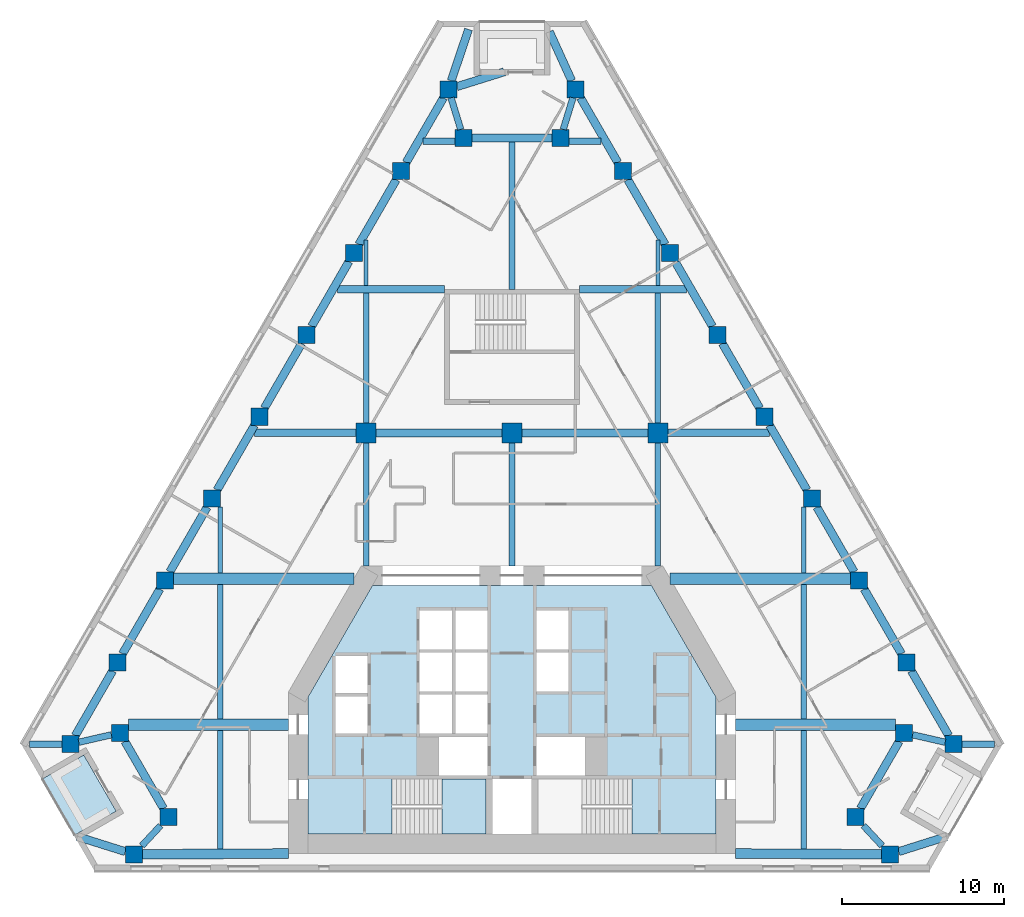
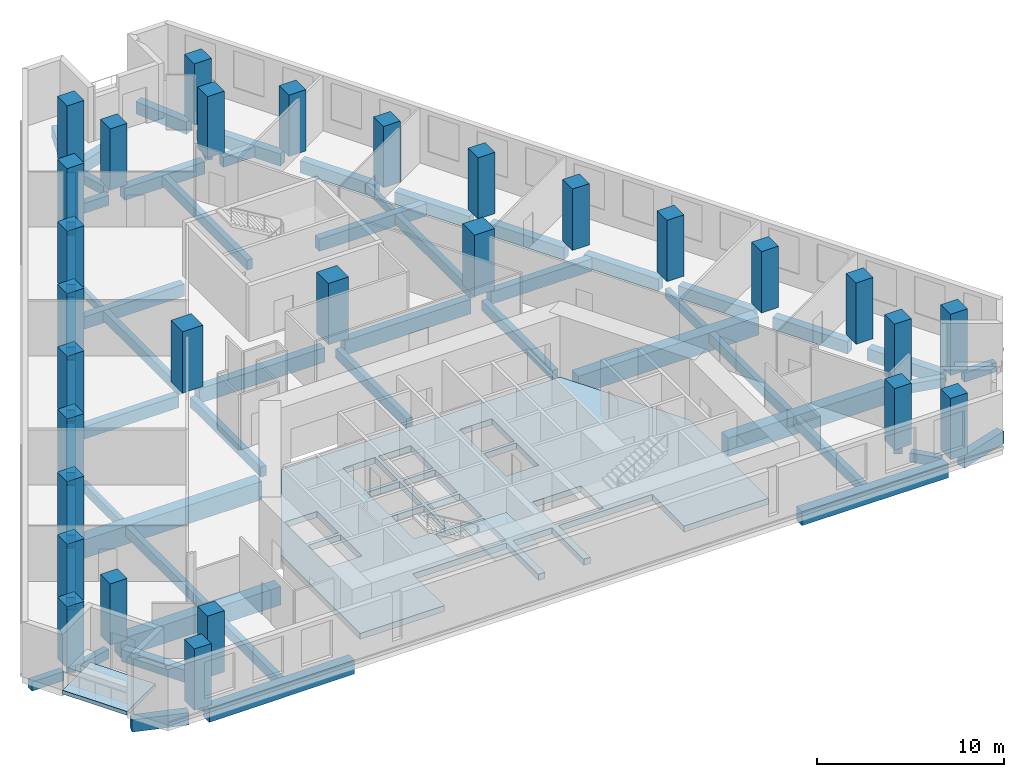
# One storey, part 1 of 10: 60 beams, 29 columns, 3 slabs, 1 element without a shape of its own.
"""IFC4 building model written with IfcOpenShell, lengths in metres."""

from ifc_helpers import new_model, si_unit, direction, frame, origin, origin_2d, place, context, subcontext, project, spatial, polyline, rectangle, outline, extrude, material, layer, layer_set, material_profile, profile_set, type_object, element, aggregate, save


model = new_model("IFC4")

# Units and contexts
model_context = context("Model", 3, precision=1e-05, world=origin(), true_north=direction((0.0, 1.0)))
body_context = subcontext(model_context, "Body", "Model", "MODEL_VIEW")
ifc_project = project(units=[si_unit("LENGTHUNIT", "METRE"), si_unit("AREAUNIT", "SQUARE_METRE"), si_unit("VOLUMEUNIT", "CUBIC_METRE"), si_unit("PLANEANGLEUNIT", "RADIAN"), si_unit("MASSUNIT", "GRAM", prefix="KILO")], contexts=[model_context])

# Site, building, storey
site_placement = place(None, origin())
site = spatial("IfcSite", under=ifc_project, at=site_placement, CompositionType="ELEMENT")
building_placement = place(site_placement, origin())
building = spatial("IfcBuilding", under=site, at=building_placement, Name="Fogline Exchange Tower", CompositionType="ELEMENT")
storey_placement = place(building_placement, frame((0.0, 0.0, 108.10009765625)))
storey = spatial("IfcBuildingStorey", under=building, at=storey_placement, Name="L23", CompositionType="ELEMENT", Elevation=108.10009765625)

# Columns
ifc_material_1 = material(Name="Concrete C70", Category="concrete")
ifc_material_profile_1 = material_profile(ifc_material_1, rectangle(XDim=1.25, YDim=1.25, at=origin_2d()), Name="RC 1250x1250")
ifc_profile_set_1 = profile_set([ifc_material_profile_1], Name="Concrete C70")
column_type_1 = type_object("IfcColumnType", Name="C03", PredefinedType="COLUMN", material=ifc_profile_set_1)
for number, where, z_axis, x_axis, name in (
    (1, (-9.0, 27.0, 0.0), (0.0, 0.0, 1.0), (1.0, 0.0, 0.0), "IC--9-27"),
    (2, (0.0, 27.0, 0.0), (0.0, 0.0, 1.0), (1.0, 0.0, 0.0), "IC-0-27"),
    (3, (9.0, 27.0, 0.0), (0.0, 0.0, 1.0), (1.0, 0.0, 0.0), "IC-9-27"),
):
    element("IfcColumn", number, at=place(storey_placement, frame(where, z_axis=z_axis, x_axis=x_axis)), inside=storey, type_object=column_type_1, Name=name, PredefinedType="COLUMN", context=body_context, shape_type="SweptSolid", body=[
        extrude(rectangle(XDim=1.25, YDim=1.25, at=origin_2d()), origin(), (0.0, 0.0, 1.0), 4.0),
    ])
ifc_material_profile_2 = material_profile(ifc_material_1, rectangle(XDim=1.050048828125, YDim=1.050048828125, at=origin_2d()), Name="RC 1050x1050")
ifc_profile_set_2 = profile_set([ifc_material_profile_2], Name="Concrete C70")
column_type_2 = type_object("IfcColumnType", Name="C04", PredefinedType="COLUMN", material=ifc_profile_set_2)
for number, where, z_axis, x_axis, name in (
    (4, (-27.2490234375, 7.794189453125, 0.0), (0.0, 0.0, 1.0), (1.0, 0.0, 0.0), "SW-a"),
    (5, (-24.189697265625, 8.4951171875, 0.0), (0.0, 0.0, 1.0), (1.0, 0.0, 0.0), "SW-p4"),
    (6, (-21.189697265625, 3.299072265625, 0.0), (0.0, 0.0, 1.0), (1.0, 0.0, 0.0), "SW-p3"),
    (7, (-23.326416015625, 1.0, 0.0), (0.0, 0.0, 1.0), (1.0, 0.0, 0.0), "SW-b"),
    (8, (23.326416015625, 1.0, 0.0), (0.0, 0.0, 1.0), (1.0, 0.0, 0.0), "SE-a"),
    (9, (21.189697265625, 3.299072265625, 0.0), (0.0, 0.0, 1.0), (1.0, 0.0, 0.0), "SE-p4"),
    (10, (24.189697265625, 8.4951171875, 0.0), (0.0, 0.0, 1.0), (1.0, 0.0, 0.0), "SE-p3"),
    (11, (27.2490234375, 7.794189453125, 0.0), (0.0, 0.0, 1.0), (1.0, 0.0, 0.0), "SE-b"),
    (12, (24.333251953125, 12.844482421875, 0.0), (0.0, 0.0, 1.0), (1.0, 0.0, 0.0), "E1"),
    (13, (21.41748046875, 17.894775390625, 0.0), (0.0, 0.0, 1.0), (1.0, 0.0, 0.0), "E2"),
    (14, (18.501708984375, 22.945068359375, 0.0), (0.0, 0.0, 1.0), (1.0, 0.0, 0.0), "E3"),
    (15, (15.585693359375, 27.995361328125, 0.0), (0.0, 0.0, 1.0), (1.0, 0.0, 0.0), "E4"),
    (16, (12.669921875, 33.045654296875, 0.0), (0.0, 0.0, 1.0), (1.0, 0.0, 0.0), "E5"),
    (17, (9.754150390625, 38.095947265625, 0.0), (0.0, 0.0, 1.0), (1.0, 0.0, 0.0), "E6"),
    (18, (6.83837890625, 43.146240234375, 0.0), (0.0, 0.0, 1.0), (1.0, 0.0, 0.0), "E7"),
    (19, (3.922607421875, 48.19677734375, 0.0), (0.0, 0.0, 1.0), (1.0, 0.0, 0.0), "N-a"),
    (20, (3.0, 45.19677734375, 0.0), (0.0, 0.0, 1.0), (1.0, 0.0, 0.0), "N-p4"),
    (21, (-3.0, 45.19677734375, 0.0), (0.0, 0.0, 1.0), (1.0, 0.0, 0.0), "N-p3"),
    (22, (-3.922607421875, 48.19677734375, 0.0), (0.0, 0.0, 1.0), (1.0, 0.0, 0.0), "N-b"),
    (23, (-6.83837890625, 43.146240234375, 0.0), (0.0, 0.0, 1.0), (1.0, 0.0, 0.0), "W1"),
    (24, (-9.754150390625, 38.095947265625, 0.0), (0.0, 0.0, 1.0), (1.0, 0.0, 0.0), "W2"),
    (25, (-12.669921875, 33.045654296875, 0.0), (0.0, 0.0, 1.0), (1.0, 0.0, 0.0), "W3"),
    (26, (-15.585693359375, 27.995361328125, 0.0), (0.0, 0.0, 1.0), (1.0, 0.0, 0.0), "W4"),
    (27, (-18.501708984375, 22.945068359375, 0.0), (0.0, 0.0, 1.0), (1.0, 0.0, 0.0), "W5"),
    (28, (-21.41748046875, 17.894775390625, 0.0), (0.0, 0.0, 1.0), (1.0, 0.0, 0.0), "W6"),
    (29, (-24.333251953125, 12.844482421875, 0.0), (0.0, 0.0, 1.0), (1.0, 0.0, 0.0), "W7"),
):
    element("IfcColumn", number, at=place(storey_placement, frame(where, z_axis=z_axis, x_axis=x_axis)), inside=storey, type_object=column_type_2, Name=name, PredefinedType="COLUMN", context=body_context, shape_type="SweptSolid", body=[
        extrude(rectangle(XDim=1.050048828125, YDim=1.050048828125, at=origin_2d()), origin(), (0.0, 0.0, 1.0), 4.0),
    ])

# Beams
ifc_material_2 = material(Name="Concrete C40", Category="concrete")
ifc_material_profile_3 = material_profile(ifc_material_2, rectangle(XDim=0.300048828125, YDim=0.60009765625, at=origin_2d()), Name="RC 300x600")
ifc_profile_set_3 = profile_set([ifc_material_profile_3], Name="Concrete C40")
beam_type_1 = type_object("IfcBeamType", Name="B06", PredefinedType="BEAM", material=ifc_profile_set_3)
for number, where, z_axis, x_axis, name in (
    (30, (-18.0, 18.35009765625, -0.7001953125), (0.0, 1.0, 0.0), (-1.0, 0.0, 0.0), "SB003"),
    (31, (18.0, 18.35009765625, -0.7001953125), (0.0, 1.0, 0.0), (-1.0, 0.0, 0.0), "SB014"),
):
    element("IfcBeam", number, at=place(storey_placement, frame(where, z_axis=z_axis, x_axis=x_axis)), inside=storey, type_object=beam_type_1, Name=name, PredefinedType="BEAM", context=body_context, shape_type="SweptSolid", body=[
        extrude(rectangle(XDim=0.300048828125, YDim=0.60009765625, at=origin_2d()), origin(), (0.0, 0.0, 1.0), 4.070068359375),
    ])
ifc_material_profile_4 = material_profile(ifc_material_2, rectangle(XDim=0.25, YDim=0.5, at=origin_2d()), Name="RC 250x500")
ifc_profile_set_4 = profile_set([ifc_material_profile_4], Name="Concrete C40")
beam_type_2 = type_object("IfcBeamType", Name="B08", PredefinedType="BEAM", material=ifc_profile_set_4)
for number, where, z_axis, x_axis, name in (
    (32, (-9.0, 36.08203125, -0.650146484375), (0.0, 1.0, 0.0), (-1.0, 0.0, 0.0), "SB006"),
    (33, (9.0, 36.08203125, -0.650146484375), (0.0, 1.0, 0.0), (-1.0, 0.0, 0.0), "SB011"),
):
    element("IfcBeam", number, at=place(storey_placement, frame(where, z_axis=z_axis, x_axis=x_axis)), inside=storey, type_object=beam_type_2, Name=name, PredefinedType="BEAM", context=body_context, shape_type="SweptSolid", body=[
        extrude(rectangle(XDim=0.25, YDim=0.5, at=origin_2d()), origin(), (0.0, 0.0, 1.0), 2.8203125),
    ])
ifc_material_profile_5 = material_profile(ifc_material_2, rectangle(XDim=0.60009765625, YDim=0.89990234375, at=origin_2d()), Name="RC 600x900")
ifc_profile_set_5 = profile_set([ifc_material_profile_5], Name="Concrete C40")
beam_type_3 = type_object("IfcBeamType", Name="B09", PredefinedType="BEAM", material=ifc_profile_set_5)
for number, where, z_axis, x_axis, name in (
    (34, (-22.801513671875, 1.0, -0.85009765625), (0.999984543136, 0.005559990001, 0.0), (-0.005559990001, 0.999984543136, 0.0), "RB004"),
    (35, (13.800048828125, 1.050048828125, -0.85009765625), (0.999984543136, -0.005559990001, 0.0), (0.005559990001, 0.999984543136, 0.0), "RB005"),
):
    element("IfcBeam", number, at=place(storey_placement, frame(where, z_axis=z_axis, x_axis=x_axis)), inside=storey, type_object=beam_type_3, Name=name, PredefinedType="BEAM", context=body_context, shape_type="SweptSolid", body=[
        extrude(rectangle(XDim=0.60009765625, YDim=0.89990234375, at=origin_2d()), origin(), (0.0, 0.0, 1.0), 9.001708984375),
    ])
ifc_material_profile_6 = material_profile(ifc_material_2, rectangle(XDim=0.5, YDim=0.800048828125, at=origin_2d()), Name="RC 500x800")
ifc_profile_set_6 = profile_set([ifc_material_profile_6], Name="Concrete C40")
beam_type_4 = type_object("IfcBeamType", Name="B10", PredefinedType="BEAM", material=ifc_profile_set_6)
for number, where, z_axis, x_axis, name in (
    (36, (-23.886474609375, 7.97021484375, -0.800048828125), (0.499994660107, -0.866028486751, 0.0), (0.866028486751, 0.499994660107, 0.0), "RB002"),
    (37, (21.49267578125, 3.823974609375, -0.800048828125), (0.499994660107, 0.866028486751, 0.0), (-0.866028486751, 0.499994660107, 0.0), "RB007"),
):
    element("IfcBeam", number, at=place(storey_placement, frame(where, z_axis=z_axis, x_axis=x_axis)), inside=storey, type_object=beam_type_4, Name=name, PredefinedType="BEAM", context=body_context, shape_type="SweptSolid", body=[
        extrude(rectangle(XDim=0.5, YDim=0.800048828125, at=origin_2d()), origin(), (0.0, 0.0, 1.0), 4.78759765625),
    ])
for number, where, z_axis, x_axis, name in (
    (38, (26.94580078125, 8.319091796875, -0.800048828125), (-0.499981705991, 0.866035965578, 0.0), (-0.866035965578, -0.499981705991, 0.0), "RB009"),
    (39, (24.030029296875, 13.369384765625, -0.800048828125), (-0.499981705991, 0.866035965578, 0.0), (-0.866035965578, -0.499981705991, 0.0), "RB010"),
):
    element("IfcBeam", number, at=place(storey_placement, frame(where, z_axis=z_axis, x_axis=x_axis)), inside=storey, type_object=beam_type_4, Name=name, PredefinedType="BEAM", context=body_context, shape_type="SweptSolid", body=[
        extrude(rectangle(XDim=0.5, YDim=0.800048828125, at=origin_2d()), origin(), (0.0, 0.0, 1.0), 4.619384765625),
    ])
for number, where, z_axis, x_axis, name in (
    (40, (21.1142578125, 18.419921875, -0.800048828125), (-0.500004591975, 0.86602275259, 0.0), (-0.86602275259, -0.500004591975, 0.0), "RB011"),
    (41, (18.198486328125, 23.47021484375, -0.800048828125), (-0.500004591975, 0.86602275259, 0.0), (-0.86602275259, -0.500004591975, 0.0), "RB012"),
    (42, (15.28271484375, 28.5205078125, -0.800048828125), (-0.500004591975, 0.86602275259, 0.0), (-0.86602275259, -0.500004591975, 0.0), "RB013"),
    (43, (12.366943359375, 33.57080078125, -0.800048828125), (-0.500004591975, 0.86602275259, 0.0), (-0.86602275259, -0.500004591975, 0.0), "RB014"),
    (44, (9.451171875, 38.62109375, -0.800048828125), (-0.500004591975, 0.86602275259, 0.0), (-0.86602275259, -0.500004591975, 0.0), "RB015"),
    (45, (6.535400390625, 43.67138671875, -0.800048828125), (-0.500004591975, 0.86602275259, 0.0), (-0.86602275259, -0.500004591975, 0.0), "RB016"),
):
    element("IfcBeam", number, at=place(storey_placement, frame(where, z_axis=z_axis, x_axis=x_axis)), inside=storey, type_object=beam_type_4, Name=name, PredefinedType="BEAM", context=body_context, shape_type="SweptSolid", body=[
        extrude(rectangle(XDim=0.5, YDim=0.800048828125, at=origin_2d()), origin(), (0.0, 0.0, 1.0), 4.619140625),
    ])
beam_1_placement = place(storey_placement, frame((2.47509765625, 45.19677734375, -0.800048828125), z_axis=(-1.0, 0.0, 0.0), x_axis=(0.0, -1.0, 0.0)))
element("IfcBeam", 46, at=beam_1_placement, inside=storey, type_object=beam_type_4, Name="RB018", PredefinedType="BEAM", context=body_context, shape_type="SweptSolid", body=[
    extrude(rectangle(XDim=0.5, YDim=0.800048828125, at=origin_2d()), origin(), (0.0, 0.0, 1.0), 4.9501953125),
])
for number, where, z_axis, x_axis, name in (
    (47, (-4.225830078125, 47.671630859375, -0.800048828125), (-0.500004591975, -0.86602275259, 0.0), (0.86602275259, -0.500004591975, 0.0), "RB020"),
    (48, (-7.1416015625, 42.621337890625, -0.800048828125), (-0.500004591975, -0.86602275259, 0.0), (0.86602275259, -0.500004591975, 0.0), "RB021"),
    (49, (-10.057373046875, 37.571044921875, -0.800048828125), (-0.500004591975, -0.86602275259, 0.0), (0.86602275259, -0.500004591975, 0.0), "RB022"),
    (50, (-12.97314453125, 32.520751953125, -0.800048828125), (-0.500004591975, -0.86602275259, 0.0), (0.86602275259, -0.500004591975, 0.0), "RB023"),
    (51, (-15.888916015625, 27.470458984375, -0.800048828125), (-0.500004591975, -0.86602275259, 0.0), (0.86602275259, -0.500004591975, 0.0), "RB024"),
    (52, (-18.8046875, 22.420166015625, -0.800048828125), (-0.500004591975, -0.86602275259, 0.0), (0.86602275259, -0.500004591975, 0.0), "RB025"),
):
    element("IfcBeam", number, at=place(storey_placement, frame(where, z_axis=z_axis, x_axis=x_axis)), inside=storey, type_object=beam_type_4, Name=name, PredefinedType="BEAM", context=body_context, shape_type="SweptSolid", body=[
        extrude(rectangle(XDim=0.5, YDim=0.800048828125, at=origin_2d()), origin(), (0.0, 0.0, 1.0), 4.619140625),
    ])
for number, where, z_axis, x_axis, name in (
    (53, (-21.720458984375, 17.369873046875, -0.800048828125), (-0.499981705991, -0.866035965578, 0.0), (0.866035965578, -0.499981705991, 0.0), "RB026"),
    (54, (-24.63623046875, 12.319580078125, -0.800048828125), (-0.499981705991, -0.866035965578, 0.0), (0.866035965578, -0.499981705991, 0.0), "RB027"),
):
    element("IfcBeam", number, at=place(storey_placement, frame(where, z_axis=z_axis, x_axis=x_axis)), inside=storey, type_object=beam_type_4, Name=name, PredefinedType="BEAM", context=body_context, shape_type="SweptSolid", body=[
        extrude(rectangle(XDim=0.5, YDim=0.800048828125, at=origin_2d()), origin(), (0.0, 0.0, 1.0), 4.619384765625),
    ])
beam_2_placement = place(storey_placement, frame((3.68359375, 48.7216796875, -0.800048828125), z_axis=(-0.414295533149, 0.9101424126, 0.0), x_axis=(-0.9101424126, -0.414295533149, 0.0)))
element("IfcBeam", 55, at=beam_2_placement, inside=storey, type_object=beam_type_4, Name="SP028", PredefinedType="BEAM", context=body_context, shape_type="SweptSolid", body=[
    extrude(rectangle(XDim=0.5, YDim=0.800048828125, at=origin_2d()), origin(), (0.0, 0.0, 1.0), 3.322998046875),
])
beam_3_placement = place(storey_placement, frame((-3.74658203125, 48.7216796875, -0.800048828125), z_axis=(0.317890789152, 0.948127336476, 0.0), x_axis=(-0.948127336476, 0.317890789152, 0.0)))
element("IfcBeam", 56, at=beam_3_placement, inside=storey, type_object=beam_type_4, Name="SP029", PredefinedType="BEAM", context=body_context, shape_type="SweptSolid", body=[
    extrude(rectangle(XDim=0.5, YDim=0.800048828125, at=origin_2d()), origin(), (0.0, 0.0, 1.0), 3.34619140625),
])
beam_4_placement = place(storey_placement, frame((23.851318359375, 1.166015625, -0.800048828125), z_axis=(0.953529245217, 0.301300478786, 0.0), x_axis=(-0.301300478786, 0.953529245217, 0.0)))
element("IfcBeam", 57, at=beam_4_placement, inside=storey, type_object=beam_type_4, Name="SP030", PredefinedType="BEAM", context=body_context, shape_type="SweptSolid", body=[
    extrude(rectangle(XDim=0.5, YDim=0.800048828125, at=origin_2d()), origin(), (0.0, 0.0, 1.0), 3.109130859375),
])
beam_5_placement = place(storey_placement, frame((-23.851318359375, 1.165283203125, -0.800048828125), z_axis=(-0.953910372128, 0.300091655909, 0.0), x_axis=(-0.300091655909, -0.953910372128, 0.0)))
element("IfcBeam", 58, at=beam_5_placement, inside=storey, type_object=beam_type_4, Name="SP031", PredefinedType="BEAM", context=body_context, shape_type="SweptSolid", body=[
    extrude(rectangle(XDim=0.5, YDim=0.800048828125, at=origin_2d()), origin(), (0.0, 0.0, 1.0), 3.113525390625),
])
beam_6_placement = place(storey_placement, frame((-3.397705078125, 48.36083984375, -0.800048828125), z_axis=(0.954474292047, 0.298293187689, 0.0), x_axis=(-0.298293187689, 0.954474292047, 0.0)))
element("IfcBeam", 59, at=beam_6_placement, inside=storey, type_object=beam_type_4, Name="SP034", PredefinedType="BEAM", context=body_context, shape_type="SweptSolid", body=[
    extrude(rectangle(XDim=0.5, YDim=0.800048828125, at=origin_2d()), origin(), (0.0, 0.0, 1.0), 3.05615234375),
])
ifc_material_profile_7 = material_profile(ifc_material_2, rectangle(XDim=0.39990234375, YDim=0.60009765625, at=origin_2d()), Name="RC 400x600")
ifc_profile_set_7 = profile_set([ifc_material_profile_7], Name="Concrete C40")
beam_type_5 = type_object("IfcBeamType", Name="B11", PredefinedType="BEAM", material=ifc_profile_set_7)
beam_7_placement = place(storey_placement, frame((-26.72412109375, 7.91455078125, -0.7001953125), z_axis=(0.974739301343, 0.223345683676, 0.0), x_axis=(-0.223345683676, 0.974739301343, 0.0)))
element("IfcBeam", 60, at=beam_7_placement, inside=storey, type_object=beam_type_5, Name="RB001", PredefinedType="BEAM", context=body_context, shape_type="SweptSolid", body=[
    extrude(rectangle(XDim=0.39990234375, YDim=0.60009765625, at=origin_2d()), origin(), (0.0, 0.0, 1.0), 2.0615234375),
])
for number, where, z_axis, x_axis, name in (
    (61, (-21.677490234375, 2.77392578125, -0.7001953125), (-0.680791505026, -0.732477253357, 0.0), (0.732477253357, -0.680791505026, 0.0), "RB003"),
    (62, (22.83837890625, 1.52490234375, -0.7001953125), (-0.680791505026, 0.732477253357, 0.0), (-0.732477253357, -0.680791505026, 0.0), "RB006"),
):
    element("IfcBeam", number, at=place(storey_placement, frame(where, z_axis=z_axis, x_axis=x_axis)), inside=storey, type_object=beam_type_5, Name=name, PredefinedType="BEAM", context=body_context, shape_type="SweptSolid", body=[
        extrude(rectangle(XDim=0.39990234375, YDim=0.60009765625, at=origin_2d()), origin(), (0.0, 0.0, 1.0), 1.705322265625),
    ])
beam_8_placement = place(storey_placement, frame((24.714599609375, 8.375, -0.7001953125), z_axis=(0.974739301343, -0.223345683676, 0.0), x_axis=(0.223345683676, 0.974739301343, 0.0)))
element("IfcBeam", 63, at=beam_8_placement, inside=storey, type_object=beam_type_5, Name="RB008", PredefinedType="BEAM", context=body_context, shape_type="SweptSolid", body=[
    extrude(rectangle(XDim=0.39990234375, YDim=0.60009765625, at=origin_2d()), origin(), (0.0, 0.0, 1.0), 2.0615234375),
])
for number, where, z_axis, x_axis, name in (
    (64, (3.76123046875, 47.671630859375, -0.7001953125), (-0.293917654764, -0.955830744545, 0.0), (0.955830744545, -0.293917654764, 0.0), "RB017"),
    (65, (-3.16162109375, 45.7216796875, -0.7001953125), (-0.293917654764, 0.955830744545, 0.0), (-0.955830744545, -0.293917654764, 0.0), "RB019"),
):
    element("IfcBeam", number, at=place(storey_placement, frame(where, z_axis=z_axis, x_axis=x_axis)), inside=storey, type_object=beam_type_5, Name=name, PredefinedType="BEAM", context=body_context, shape_type="SweptSolid", body=[
        extrude(rectangle(XDim=0.39990234375, YDim=0.60009765625, at=origin_2d()), origin(), (0.0, 0.0, 1.0), 2.0400390625),
    ])
beam_9_placement = place(storey_placement, frame((-27.77392578125, 7.794189453125, -0.7001953125), z_axis=(-1.0, 0.0, 0.0), x_axis=(0.0, -1.0, 0.0)))
element("IfcBeam", 66, at=beam_9_placement, inside=storey, type_object=beam_type_5, Name="SP032", PredefinedType="BEAM", context=body_context, shape_type="SweptSolid", body=[
    extrude(rectangle(XDim=0.39990234375, YDim=0.60009765625, at=origin_2d()), origin(), (0.0, 0.0, 1.0), 1.99169921875),
])
beam_10_placement = place(storey_placement, frame((27.77392578125, 7.79541015625, -0.7001953125), z_axis=(0.999998070107, 0.001964632751, 0.0), x_axis=(-0.001964632751, 0.999998070107, 0.0)))
element("IfcBeam", 67, at=beam_10_placement, inside=storey, type_object=beam_type_5, Name="SP033", PredefinedType="BEAM", context=body_context, shape_type="SweptSolid", body=[
    extrude(rectangle(XDim=0.39990234375, YDim=0.60009765625, at=origin_2d()), origin(), (0.0, 0.0, 1.0), 1.98828125),
])
ifc_material_profile_8 = material_profile(ifc_material_2, rectangle(XDim=0.39990234375, YDim=0.64990234375, at=origin_2d()), Name="RC 400x650")
ifc_profile_set_8 = profile_set([ifc_material_profile_8], Name="Concrete C40")
beam_type_6 = type_object("IfcBeamType", Name="B13", PredefinedType="BEAM", material=ifc_profile_set_8)
for number, where, z_axis, x_axis, name in (
    (68, (-5.4794921875, 45.0, -0.72509765625), (1.0, 0.0, 0.0), (0.0, 1.0, 0.0), "GB011"),
    (69, (3.52490234375, 45.0, -0.72509765625), (1.0, 0.0, 0.0), (0.0, 1.0, 0.0), "GB012"),
):
    element("IfcBeam", number, at=place(storey_placement, frame(where, z_axis=z_axis, x_axis=x_axis)), inside=storey, type_object=beam_type_6, Name=name, PredefinedType="BEAM", context=body_context, shape_type="SweptSolid", body=[
        extrude(rectangle(XDim=0.39990234375, YDim=0.64990234375, at=origin_2d()), origin(), (0.0, 0.0, 1.0), 1.95458984375),
    ])
ifc_material_profile_9 = material_profile(ifc_material_2, rectangle(XDim=0.5, YDim=0.949951171875, at=origin_2d()), Name="RC 500x950")
ifc_profile_set_9 = profile_set([ifc_material_profile_9], Name="Concrete C40")
beam_type_7 = type_object("IfcBeamType", Name="B14", PredefinedType="BEAM", material=ifc_profile_set_9)
for number, where, z_axis, x_axis, name in (
    (70, (-8.375, 27.0, -0.875), (1.0, 0.0, 0.0), (0.0, 1.0, 0.0), "GB006"),
    (71, (0.625, 27.0, -0.875), (1.0, 0.0, 0.0), (0.0, 1.0, 0.0), "GB007"),
):
    element("IfcBeam", number, at=place(storey_placement, frame(where, z_axis=z_axis, x_axis=x_axis)), inside=storey, type_object=beam_type_7, Name=name, PredefinedType="BEAM", context=body_context, shape_type="SweptSolid", body=[
        extrude(rectangle(XDim=0.5, YDim=0.949951171875, at=origin_2d()), origin(), (0.0, 0.0, 1.0), 7.75),
    ])
ifc_material_profile_10 = material_profile(ifc_material_2, rectangle(XDim=0.35009765625, YDim=0.64990234375, at=origin_2d()), Name="RC 350x650")
ifc_profile_set_10 = profile_set([ifc_material_profile_10], Name="Concrete C40")
beam_type_8 = type_object("IfcBeamType", Name="B16", PredefinedType="BEAM", material=ifc_profile_set_10)
beam_11_placement = place(storey_placement, frame((-18.0, 1.327880859375, -0.72509765625), z_axis=(0.0, 1.0, 0.0), x_axis=(-1.0, 0.0, 0.0)))
element("IfcBeam", 72, at=beam_11_placement, inside=storey, type_object=beam_type_8, Name="SB001", PredefinedType="BEAM", context=body_context, shape_type="SweptSolid", body=[
    extrude(rectangle(XDim=0.35009765625, YDim=0.64990234375, at=origin_2d()), origin(), (0.0, 0.0, 1.0), 7.322021484375),
])
beam_12_placement = place(storey_placement, frame((-18.0, 9.35009765625, -0.72509765625), z_axis=(0.0, 1.0, 0.0), x_axis=(-1.0, 0.0, 0.0)))
element("IfcBeam", 73, at=beam_12_placement, inside=storey, type_object=beam_type_8, Name="SB002", PredefinedType="BEAM", context=body_context, shape_type="SweptSolid", body=[
    extrude(rectangle(XDim=0.35009765625, YDim=0.64990234375, at=origin_2d()), origin(), (0.0, 0.0, 1.0), 8.2998046875),
])
beam_13_placement = place(storey_placement, frame((-9.0, 18.800048828125, -0.72509765625), z_axis=(0.0, 1.0, 0.0), x_axis=(-1.0, 0.0, 0.0)))
element("IfcBeam", 74, at=beam_13_placement, inside=storey, type_object=beam_type_8, Name="SB004", PredefinedType="BEAM", context=body_context, shape_type="SweptSolid", body=[
    extrude(rectangle(XDim=0.35009765625, YDim=0.64990234375, at=origin_2d()), origin(), (0.0, 0.0, 1.0), 7.574951171875),
])
beam_14_placement = place(storey_placement, frame((-9.0, 27.625, -0.72509765625), z_axis=(0.0, 1.0, 0.0), x_axis=(-1.0, 0.0, 0.0)))
element("IfcBeam", 75, at=beam_14_placement, inside=storey, type_object=beam_type_8, Name="SB005", PredefinedType="BEAM", context=body_context, shape_type="SweptSolid", body=[
    extrude(rectangle(XDim=0.35009765625, YDim=0.64990234375, at=origin_2d()), origin(), (0.0, 0.0, 1.0), 8.007080078125),
])
beam_15_placement = place(storey_placement, frame((0.0, 18.800048828125, -0.72509765625), z_axis=(0.0, 1.0, 0.0), x_axis=(-1.0, 0.0, 0.0)))
element("IfcBeam", 76, at=beam_15_placement, inside=storey, type_object=beam_type_8, Name="SB007", PredefinedType="BEAM", context=body_context, shape_type="SweptSolid", body=[
    extrude(rectangle(XDim=0.35009765625, YDim=0.64990234375, at=origin_2d()), origin(), (0.0, 0.0, 1.0), 7.574951171875),
])
beam_16_placement = place(storey_placement, frame((0.0, 35.85693359375, -0.72509765625), z_axis=(0.0, 1.0, 0.0), x_axis=(-1.0, 0.0, 0.0)))
element("IfcBeam", 77, at=beam_16_placement, inside=storey, type_object=beam_type_8, Name="SB008", PredefinedType="BEAM", context=body_context, shape_type="SweptSolid", body=[
    extrude(rectangle(XDim=0.35009765625, YDim=0.64990234375, at=origin_2d()), origin(), (0.0, 0.0, 1.0), 9.08984375),
])
beam_17_placement = place(storey_placement, frame((9.0, 18.800048828125, -0.72509765625), z_axis=(0.0, 1.0, 0.0), x_axis=(-1.0, 0.0, 0.0)))
element("IfcBeam", 78, at=beam_17_placement, inside=storey, type_object=beam_type_8, Name="SB009", PredefinedType="BEAM", context=body_context, shape_type="SweptSolid", body=[
    extrude(rectangle(XDim=0.35009765625, YDim=0.64990234375, at=origin_2d()), origin(), (0.0, 0.0, 1.0), 7.574951171875),
])
beam_18_placement = place(storey_placement, frame((9.0, 27.625, -0.72509765625), z_axis=(0.0, 1.0, 0.0), x_axis=(-1.0, 0.0, 0.0)))
element("IfcBeam", 79, at=beam_18_placement, inside=storey, type_object=beam_type_8, Name="SB010", PredefinedType="BEAM", context=body_context, shape_type="SweptSolid", body=[
    extrude(rectangle(XDim=0.35009765625, YDim=0.64990234375, at=origin_2d()), origin(), (0.0, 0.0, 1.0), 8.007080078125),
])
beam_19_placement = place(storey_placement, frame((18.0, 1.327880859375, -0.72509765625), z_axis=(0.0, 1.0, 0.0), x_axis=(-1.0, 0.0, 0.0)))
element("IfcBeam", 80, at=beam_19_placement, inside=storey, type_object=beam_type_8, Name="SB012", PredefinedType="BEAM", context=body_context, shape_type="SweptSolid", body=[
    extrude(rectangle(XDim=0.35009765625, YDim=0.64990234375, at=origin_2d()), origin(), (0.0, 0.0, 1.0), 7.322021484375),
])
beam_20_placement = place(storey_placement, frame((18.0, 9.35009765625, -0.72509765625), z_axis=(0.0, 1.0, 0.0), x_axis=(-1.0, 0.0, 0.0)))
element("IfcBeam", 81, at=beam_20_placement, inside=storey, type_object=beam_type_8, Name="SB013", PredefinedType="BEAM", context=body_context, shape_type="SweptSolid", body=[
    extrude(rectangle(XDim=0.35009765625, YDim=0.64990234375, at=origin_2d()), origin(), (0.0, 0.0, 1.0), 8.2998046875),
])
ifc_material_profile_11 = material_profile(ifc_material_2, rectangle(XDim=0.699951171875, YDim=1.199951171875, at=origin_2d()), Name="RC 700x1200")
ifc_profile_set_11 = profile_set([ifc_material_profile_11], Name="Concrete C40")
beam_type_9 = type_object("IfcBeamType", Name="B17", PredefinedType="BEAM", material=ifc_profile_set_11)
for number, where, z_axis, x_axis, name in (
    (82, (-23.66455078125, 9.0, -1.0), (1.0, 0.0, 0.0), (0.0, 1.0, 0.0), "GB001"),
    (83, (13.800048828125, 9.0, -1.0), (1.0, 0.0, 0.0), (0.0, 1.0, 0.0), "GB002"),
):
    element("IfcBeam", number, at=place(storey_placement, frame(where, z_axis=z_axis, x_axis=x_axis)), inside=storey, type_object=beam_type_9, Name=name, PredefinedType="BEAM", context=body_context, shape_type="SweptSolid", body=[
        extrude(rectangle(XDim=0.699951171875, YDim=1.199951171875, at=origin_2d()), origin(), (0.0, 0.0, 1.0), 9.864501953125),
    ])
for number, where, z_axis, x_axis, name in (
    (84, (-20.892333984375, 18.0, -1.0), (1.0, 0.0, 0.0), (0.0, 1.0, 0.0), "GB003"),
    (85, (9.758056640625, 18.0, -1.0), (1.0, 0.0, 0.0), (0.0, 1.0, 0.0), "GB004"),
):
    element("IfcBeam", number, at=place(storey_placement, frame(where, z_axis=z_axis, x_axis=x_axis)), inside=storey, type_object=beam_type_9, Name=name, PredefinedType="BEAM", context=body_context, shape_type="SweptSolid", body=[
        extrude(rectangle(XDim=0.699951171875, YDim=1.199951171875, at=origin_2d()), origin(), (0.0, 0.0, 1.0), 11.13427734375),
    ])
ifc_material_profile_12 = material_profile(ifc_material_2, rectangle(XDim=0.449951171875, YDim=0.800048828125, at=origin_2d()), Name="RC 450x800")
ifc_profile_set_12 = profile_set([ifc_material_profile_12], Name="Concrete C40")
beam_type_10 = type_object("IfcBeamType", Name="B18", PredefinedType="BEAM", material=ifc_profile_set_12)
for number, where, z_axis, x_axis, name in (
    (86, (-15.871826171875, 27.0, -0.800048828125), (1.0, 0.0, 0.0), (0.0, 1.0, 0.0), "GB005"),
    (87, (9.625, 27.0, -0.800048828125), (1.0, 0.0, 0.0), (0.0, 1.0, 0.0), "GB008"),
):
    element("IfcBeam", number, at=place(storey_placement, frame(where, z_axis=z_axis, x_axis=x_axis)), inside=storey, type_object=beam_type_10, Name=name, PredefinedType="BEAM", context=body_context, shape_type="SweptSolid", body=[
        extrude(rectangle(XDim=0.449951171875, YDim=0.800048828125, at=origin_2d()), origin(), (0.0, 0.0, 1.0), 6.246826171875),
    ])
for number, where, z_axis, x_axis, name in (
    (88, (-10.75830078125, 35.85693359375, -0.800048828125), (1.0, 0.0, 0.0), (0.0, 1.0, 0.0), "GB009"),
    (89, (4.14990234375, 35.85693359375, -0.800048828125), (1.0, 0.0, 0.0), (0.0, 1.0, 0.0), "GB010"),
):
    element("IfcBeam", number, at=place(storey_placement, frame(where, z_axis=z_axis, x_axis=x_axis)), inside=storey, type_object=beam_type_10, Name=name, PredefinedType="BEAM", context=body_context, shape_type="SweptSolid", body=[
        extrude(rectangle(XDim=0.449951171875, YDim=0.800048828125, at=origin_2d()), origin(), (0.0, 0.0, 1.0), 6.6083984375),
    ])

# Slabs
ifc_layer_1 = layer(ifc_material_2, 0.25)
ifc_layer_set_1 = layer_set([ifc_layer_1], Name="DK1")
slab_type_1 = type_object("IfcSlabType", Name="DK1", PredefinedType="FLOOR", material=ifc_layer_set_1)
slab_1_placement = place(storey_placement, frame((0.0, 0.0, -0.25)))
element("IfcSlab", 90, at=slab_1_placement, inside=storey, type_object=slab_type_1, Name="Balcony L23 SW", PredefinedType="FLOOR", context=body_context, shape_type="SweptSolid", body=[
    extrude(outline(polyline([(-29.015625, 5.629150390625), (-27.015625, 2.1650390625), (-24.41748046875, 3.6650390625), (-26.41748046875, 7.129150390625), (-29.015625, 5.629150390625)])), origin(), (0.0, 0.0, 1.0), 0.25),
])
ifc_layer_2 = layer(ifc_material_2, 0.39990234375)
ifc_layer_set_2 = layer_set([ifc_layer_2], Name="S03")
slab_type_2 = type_object("IfcSlabType", Name="S03", PredefinedType="FLOOR", material=ifc_layer_set_2)
slab_2_placement = place(storey_placement, frame((0.0, 0.0, -0.400146484375)))
element("IfcSlab", 91, at=slab_2_placement, inside=storey, type_object=slab_type_2, Name="Core floor slab", PredefinedType="FLOOR", context=body_context, shape_type="SweptSolid", body=[
    extrude(outline(polyline([(-12.60009765625, 2.25), (-12.60009765625, 10.677490234375), (-8.603271484375, 17.60009765625), (8.603271484375, 17.60009765625), (12.60009765625, 10.677490234375), (12.60009765625, 2.25), (7.389892578125, 2.25), (7.389892578125, 5.64990234375), (1.60009765625, 5.64990234375), (1.60009765625, 2.25), (1.199951171875, 2.25), (1.199951171875, 5.64990234375), (-1.199951171875, 5.64990234375), (-1.199951171875, 2.25), (-1.60009765625, 2.25), (-1.60009765625, 5.64990234375), (-7.389892578125, 5.64990234375), (-7.389892578125, 2.25), (-12.60009765625, 2.25)]), holes=[polyline([(-1.5, 8.25), (-4.5, 8.25), (-4.5, 5.85009765625), (-1.5, 5.85009765625), (-1.5, 8.25)]), polyline([(-8.89990234375, 10.75), (-10.89990234375, 10.75), (-10.89990234375, 8.449951171875), (-8.89990234375, 8.449951171875), (-8.89990234375, 10.75)]), polyline([(-3.699951171875, 10.85009765625), (-5.699951171875, 10.85009765625), (-5.699951171875, 8.449951171875), (-3.699951171875, 8.449951171875), (-3.699951171875, 10.85009765625)]), polyline([(-1.5, 10.85009765625), (-3.5, 10.85009765625), (-3.5, 8.449951171875), (-1.5, 8.449951171875), (-1.5, 10.85009765625)]), polyline([(-8.89990234375, 13.25), (-10.89990234375, 13.25), (-10.89990234375, 10.949951171875), (-8.89990234375, 10.949951171875), (-8.89990234375, 13.25)]), polyline([(-3.699951171875, 13.449951171875), (-5.699951171875, 13.449951171875), (-5.699951171875, 11.050048828125), (-3.699951171875, 11.050048828125), (-3.699951171875, 13.449951171875)]), polyline([(-3.699951171875, 16.050048828125), (-5.699951171875, 16.050048828125), (-5.699951171875, 13.64990234375), (-3.699951171875, 13.64990234375), (-3.699951171875, 16.050048828125)]), polyline([(4.5, 8.25), (1.5, 8.25), (1.5, 5.85009765625), (4.5, 5.85009765625), (4.5, 8.25)]), polyline([(-1.5, 13.449951171875), (-3.5, 13.449951171875), (-3.5, 11.050048828125), (-1.5, 11.050048828125), (-1.5, 13.449951171875)]), polyline([(3.5, 13.449951171875), (1.5, 13.449951171875), (1.5, 11.050048828125), (3.5, 11.050048828125), (3.5, 13.449951171875)]), polyline([(-1.5, 16.050048828125), (-3.5, 16.050048828125), (-3.5, 13.64990234375), (-1.5, 13.64990234375), (-1.5, 16.050048828125)]), polyline([(3.5, 16.050048828125), (1.5, 16.050048828125), (1.5, 13.64990234375), (3.5, 13.64990234375), (3.5, 16.050048828125)])]), origin(), (0.0, 0.0, 1.0), 0.400146484375),
])

# Stair, slab
stair_type = type_object("IfcStairType", Name="STR24-1667", PredefinedType="HALF_TURN_STAIR", material=ifc_material_2)
stair_placement = place(storey_placement, origin())
stair = element("IfcStair", 92, at=stair_placement, inside=storey, type_object=stair_type, Name="Stair ST1", PredefinedType="HALF_TURN_STAIR")
ifc_layer_3 = layer(ifc_material_2, 0.199951171875)
ifc_layer_set_3 = layer_set([ifc_layer_3], Name="SL200")
slab_type_3 = type_object("IfcSlabType", Name="SL200", PredefinedType="LANDING", material=ifc_layer_set_3)
slab_3_placement = place(storey_placement, frame((0.0, 0.0, 1.7998046875)))
slab_3 = element("IfcSlab", 93, at=slab_3_placement, type_object=slab_type_3, Name="ST1 landing 1", PredefinedType="LANDING", context=body_context, shape_type="SweptSolid", body=[
    extrude(outline(polyline([(-4.320068359375, 2.25), (-1.60009765625, 2.25), (-1.60009765625, 5.64990234375), (-4.320068359375, 5.64990234375), (-4.320068359375, 2.25)])), origin(), (0.0, 0.0, 1.0), 0.2001953125),
])
aggregate(stair, [slab_3])

save(model, "model.ifc")
